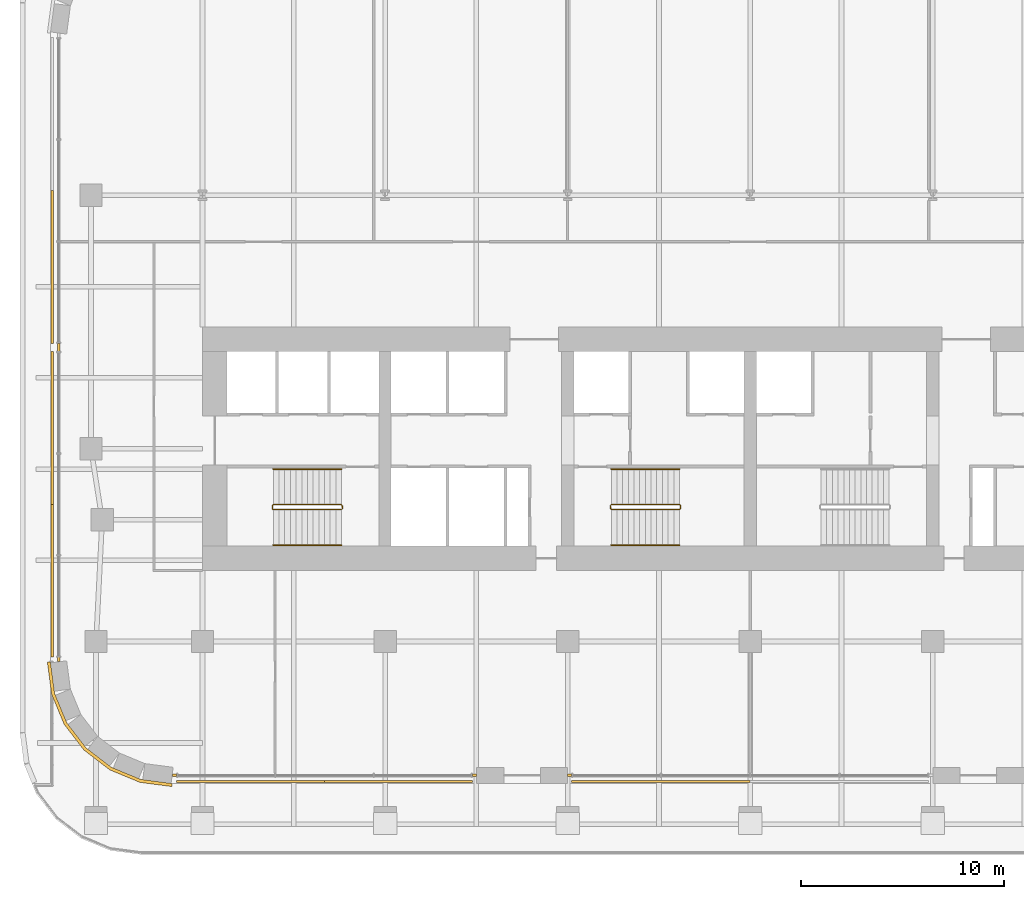
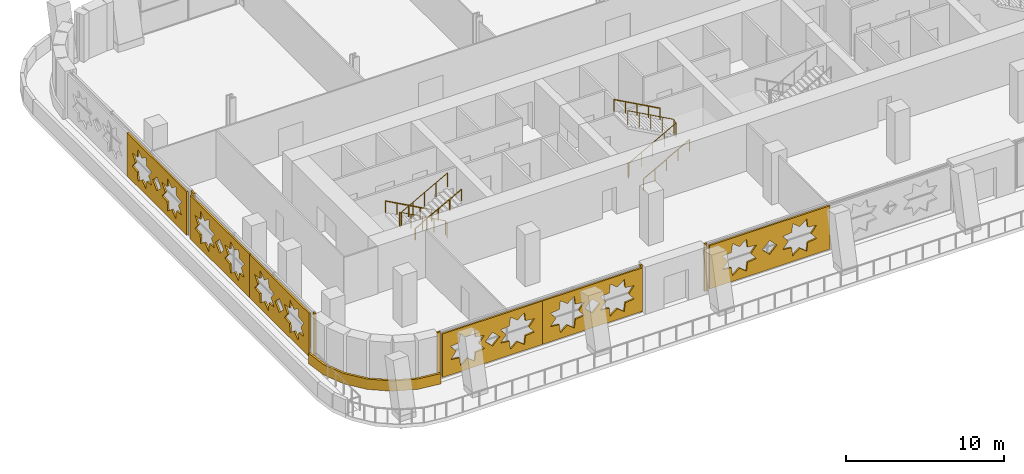
# One storey, part 19 of 26: 12 coverings, 6 railings.
"""IFC4 building model written with IfcOpenShell, lengths in metres."""

from ifc_helpers import new_model, si_unit, direction, frame, origin, origin_2d, place, context, subcontext, project, spatial, polyline, rectangle, circle, outline, extrude, material, layer, layer_set, type_object, element, save


model = new_model("IFC4")

# Units and contexts
model_context = context("Model", 3, precision=1e-05, world=origin(), true_north=direction((0.0, 1.0)))
body_context = subcontext(model_context, "Body", "Model", "MODEL_VIEW")
ifc_project = project(units=[si_unit("LENGTHUNIT", "METRE"), si_unit("AREAUNIT", "SQUARE_METRE"), si_unit("VOLUMEUNIT", "CUBIC_METRE"), si_unit("PLANEANGLEUNIT", "RADIAN"), si_unit("MASSUNIT", "GRAM", prefix="KILO")], contexts=[model_context])

# Site, building, storey
site_placement = place(None, origin())
site = spatial("IfcSite", under=ifc_project, at=site_placement, CompositionType="ELEMENT")
building_placement = place(site_placement, origin())
building = spatial("IfcBuilding", under=site, at=building_placement, Name="Zellij Exchange Tower", CompositionType="ELEMENT")
storey_placement = place(building_placement, frame((0.0, 0.0, 100.5)))
storey = spatial("IfcBuildingStorey", under=building, at=storey_placement, Name="L21", CompositionType="ELEMENT", Elevation=100.5)

# Railings
ifc_material_1 = material(Name="Stainless steel", Category="steel")
railing_type_1 = type_object("IfcRailingType", Name="CORE-RG stair guard", PredefinedType="GUARDRAIL", material=ifc_material_1)
railing_1_placement = place(storey_placement, frame((-20.10009765625, -10.800048828125, 0.0)))
element("IfcRailing", 1, at=railing_1_placement, inside=storey, type_object=railing_type_1, Name="ST1 stair guard L21", PredefinedType="GUARDRAIL", context=body_context, shape_type="SweptSolid", body=[
    extrude(circle(Radius=0.02392578125, at=origin_2d()), frame((0.0, 0.0, 1.076171875), z_axis=(0.0, -1.0, 0.0), x_axis=(1.0, 0.0, 0.0)), (0.0, 0.0, 1.0), 0.14990234375),
    extrude(circle(Radius=0.02392578125, at=origin_2d()), frame((0.0, -0.14990234375, 1.076171875), z_axis=(-0.193691321961, 0.777613689637, 0.598164376644), x_axis=(-0.970351222016, -0.241699205484, 0.0)), (0.0, 0.0, 1.0), 0.257080078125),
    extrude(circle(Radius=0.02392578125, at=origin_2d()), frame((-0.0498046875, 0.050048828125, 1.22998046875), z_axis=(-0.876421534553, 0.0, 0.481544695509), x_axis=(0.0, -1.0, 0.0)), (0.0, 0.0, 1.0), 3.833984375),
    extrude(circle(Radius=0.02392578125, at=origin_2d()), frame((-3.409912109375, 0.050048828125, 3.076171875), z_axis=(-0.707106781187, -0.707106781187, 0.0), x_axis=(0.707106781187, -0.707106781187, 0.0)), (0.0, 0.0, 1.0), 0.07080078125),
    extrude(circle(Radius=0.02392578125, at=origin_2d()), frame((-3.4599609375, 0.0, 3.076171875), z_axis=(0.0, -1.0, 0.0), x_axis=(1.0, 0.0, 0.0)), (0.0, 0.0, 1.0), 0.14990234375),
    extrude(circle(Radius=0.02392578125, at=origin_2d()), frame((-3.4599609375, -0.14990234375, 3.076171875), z_axis=(0.295599637079, -0.295599637079, 0.908428152975), x_axis=(0.707106781187, 0.707106781187, 0.0)), (0.0, 0.0, 1.0), 0.16943359375),
    extrude(circle(Radius=0.02392578125, at=origin_2d()), frame((-3.409912109375, -0.199951171875, 3.22998046875), z_axis=(0.876421534553, 0.0, 0.481544695509), x_axis=(0.0, 1.0, 0.0)), (0.0, 0.0, 1.0), 3.833984375),
    extrude(circle(Radius=0.02099609375, at=origin_2d()), origin(), (0.0, 0.0, 1.0), 1.052001953125),
    extrude(circle(Radius=0.02099609375, at=origin_2d()), frame((0.0, -0.14990234375, 0.0)), (0.0, 0.0, 1.0), 1.052001953125),
    extrude(circle(Radius=0.02099609375, at=origin_2d()), frame((-0.0498046875, 0.050048828125, 0.15380859375)), (0.0, 0.0, 1.0), 1.052001953125),
    extrude(circle(Radius=0.02099609375, at=origin_2d()), frame((-0.889892578125, 0.050048828125, 0.615234375)), (0.0, 0.0, 1.0), 1.052001953125),
    extrude(circle(Radius=0.02099609375, at=origin_2d()), frame((-1.72998046875, 0.050048828125, 1.076904296875)), (0.0, 0.0, 1.0), 1.052001953125),
    extrude(circle(Radius=0.02099609375, at=origin_2d()), frame((-2.56982421875, 0.050048828125, 1.53857421875)), (0.0, 0.0, 1.0), 1.052001953125),
    extrude(circle(Radius=0.02099609375, at=origin_2d()), frame((-3.409912109375, 0.050048828125, 2.0)), (0.0, 0.0, 1.0), 1.052001953125),
    extrude(circle(Radius=0.02099609375, at=origin_2d()), frame((-3.4599609375, 0.0, 2.0)), (0.0, 0.0, 1.0), 1.052001953125),
    extrude(circle(Radius=0.02099609375, at=origin_2d()), frame((-3.4599609375, -0.14990234375, 2.0)), (0.0, 0.0, 1.0), 1.052001953125),
    extrude(circle(Radius=0.02099609375, at=origin_2d()), frame((-3.409912109375, -0.199951171875, 2.15380859375)), (0.0, 0.0, 1.0), 1.052001953125),
    extrude(circle(Radius=0.02099609375, at=origin_2d()), frame((-2.56982421875, -0.199951171875, 2.615234375)), (0.0, 0.0, 1.0), 1.052001953125),
    extrude(circle(Radius=0.02099609375, at=origin_2d()), frame((-1.72998046875, -0.199951171875, 3.076904296875)), (0.0, 0.0, 1.0), 1.052001953125),
    extrude(circle(Radius=0.02099609375, at=origin_2d()), frame((-0.889892578125, -0.199951171875, 3.53857421875)), (0.0, 0.0, 1.0), 1.052001953125),
    extrude(circle(Radius=0.02099609375, at=origin_2d()), frame((-0.0498046875, -0.199951171875, 4.0)), (0.0, 0.0, 1.0), 1.052001953125),
])
railing_2_placement = place(storey_placement, frame((-6.89990234375, -10.949951171875, 0.0)))
element("IfcRailing", 2, at=railing_2_placement, inside=storey, type_object=railing_type_1, Name="ST2 stair guard L21", PredefinedType="GUARDRAIL", context=body_context, shape_type="SweptSolid", body=[
    extrude(circle(Radius=0.02392578125, at=origin_2d()), frame((0.0, 0.0, 1.076171875), z_axis=(0.0, 1.0, 0.0), x_axis=(-1.0, 0.0, 0.0)), (0.0, 0.0, 1.0), 0.14990234375),
    extrude(circle(Radius=0.02392578125, at=origin_2d()), frame((0.0, 0.14990234375, 1.076171875), z_axis=(0.193691321961, -0.777613689637, 0.598164376644), x_axis=(0.970351222016, 0.241699205484, 0.0)), (0.0, 0.0, 1.0), 0.257080078125),
    extrude(circle(Radius=0.02392578125, at=origin_2d()), frame((0.0498046875, -0.050048828125, 1.22998046875), z_axis=(0.876421534553, 0.0, 0.481544695509), x_axis=(0.0, 1.0, 0.0)), (0.0, 0.0, 1.0), 3.833984375),
    extrude(circle(Radius=0.02392578125, at=origin_2d()), frame((3.409912109375, -0.050048828125, 3.076171875), z_axis=(0.707106781187, 0.707106781187, 0.0), x_axis=(-0.707106781187, 0.707106781187, 0.0)), (0.0, 0.0, 1.0), 0.07080078125),
    extrude(circle(Radius=0.02392578125, at=origin_2d()), frame((3.4599609375, 0.0, 3.076171875), z_axis=(0.0, 1.0, 0.0), x_axis=(-1.0, 0.0, 0.0)), (0.0, 0.0, 1.0), 0.14990234375),
    extrude(circle(Radius=0.02392578125, at=origin_2d()), frame((3.4599609375, 0.14990234375, 3.076171875), z_axis=(-0.295599637079, 0.295599637079, 0.908428152975), x_axis=(-0.707106781187, -0.707106781187, 0.0)), (0.0, 0.0, 1.0), 0.16943359375),
    extrude(circle(Radius=0.02392578125, at=origin_2d()), frame((3.409912109375, 0.199951171875, 3.22998046875), z_axis=(-0.876421534553, 0.0, 0.481544695509), x_axis=(0.0, -1.0, 0.0)), (0.0, 0.0, 1.0), 3.833984375),
    extrude(circle(Radius=0.02099609375, at=origin_2d()), origin(), (0.0, 0.0, 1.0), 1.052001953125),
    extrude(circle(Radius=0.02099609375, at=origin_2d()), frame((0.0, 0.14990234375, 0.0)), (0.0, 0.0, 1.0), 1.052001953125),
    extrude(circle(Radius=0.02099609375, at=origin_2d()), frame((0.0498046875, -0.050048828125, 0.15380859375)), (0.0, 0.0, 1.0), 1.052001953125),
    extrude(circle(Radius=0.02099609375, at=origin_2d()), frame((0.889892578125, -0.050048828125, 0.615234375)), (0.0, 0.0, 1.0), 1.052001953125),
    extrude(circle(Radius=0.02099609375, at=origin_2d()), frame((1.72998046875, -0.050048828125, 1.076904296875)), (0.0, 0.0, 1.0), 1.052001953125),
    extrude(circle(Radius=0.02099609375, at=origin_2d()), frame((2.56982421875, -0.050048828125, 1.53857421875)), (0.0, 0.0, 1.0), 1.052001953125),
    extrude(circle(Radius=0.02099609375, at=origin_2d()), frame((3.409912109375, -0.050048828125, 2.0)), (0.0, 0.0, 1.0), 1.052001953125),
    extrude(circle(Radius=0.02099609375, at=origin_2d()), frame((3.4599609375, 0.0, 2.0)), (0.0, 0.0, 1.0), 1.052001953125),
    extrude(circle(Radius=0.02099609375, at=origin_2d()), frame((3.4599609375, 0.14990234375, 2.0)), (0.0, 0.0, 1.0), 1.052001953125),
    extrude(circle(Radius=0.02099609375, at=origin_2d()), frame((3.409912109375, 0.199951171875, 2.15380859375)), (0.0, 0.0, 1.0), 1.052001953125),
    extrude(circle(Radius=0.02099609375, at=origin_2d()), frame((2.56982421875, 0.199951171875, 2.615234375)), (0.0, 0.0, 1.0), 1.052001953125),
    extrude(circle(Radius=0.02099609375, at=origin_2d()), frame((1.72998046875, 0.199951171875, 3.076904296875)), (0.0, 0.0, 1.0), 1.052001953125),
    extrude(circle(Radius=0.02099609375, at=origin_2d()), frame((0.889892578125, 0.199951171875, 3.53857421875)), (0.0, 0.0, 1.0), 1.052001953125),
    extrude(circle(Radius=0.02099609375, at=origin_2d()), frame((0.0498046875, 0.199951171875, 4.0)), (0.0, 0.0, 1.0), 1.052001953125),
])
railing_type_2 = type_object("IfcRailingType", Name="CORE-RH stair handrail", PredefinedType="HANDRAIL", material=ifc_material_1)
railing_3_placement = place(storey_placement, frame((-20.14990234375, -9.0, 0.15380859375)))
element("IfcRailing", 3, at=railing_3_placement, inside=storey, type_object=railing_type_2, Name="ST1 stair handrail L21", PredefinedType="HANDRAIL", context=body_context, shape_type="SweptSolid", body=[
    extrude(circle(Radius=0.02392578125, at=origin_2d()), frame((0.0, 0.0, 0.8759765625), z_axis=(-0.876421534553, 0.0, 0.481544695509), x_axis=(0.0, -1.0, 0.0)), (0.0, 0.0, 1.0), 3.833984375),
    extrude(circle(Radius=0.02099609375, at=origin_2d()), origin(), (0.0, 0.0, 1.0), 0.851806640625),
    extrude(circle(Radius=0.02099609375, at=origin_2d()), frame((-0.840087890625, 0.0, 0.46142578125)), (0.0, 0.0, 1.0), 0.851806640625),
    extrude(circle(Radius=0.02099609375, at=origin_2d()), frame((-1.68017578125, 0.0, 0.923095703125)), (0.0, 0.0, 1.0), 0.851806640625),
    extrude(circle(Radius=0.02099609375, at=origin_2d()), frame((-2.52001953125, 0.0, 1.384765625)), (0.0, 0.0, 1.0), 0.851806640625),
    extrude(circle(Radius=0.02099609375, at=origin_2d()), frame((-3.360107421875, 0.0, 1.84619140625)), (0.0, 0.0, 1.0), 0.851806640625),
])
for number, where, name in (
    (4, (-23.510009765625, -12.75, 2.15380859375), "ST1 stair handrail L21"),
    (5, (-6.85009765625, -12.75, 0.15380859375), "ST2 stair handrail L21"),
):
    element("IfcRailing", number, at=place(storey_placement, frame(where)), inside=storey, type_object=railing_type_2, Name=name, PredefinedType="HANDRAIL", context=body_context, shape_type="SweptSolid", body=[
        extrude(circle(Radius=0.02392578125, at=origin_2d()), frame((0.0, 0.0, 0.8759765625), z_axis=(0.876421534553, 0.0, 0.481544695509), x_axis=(0.0, 1.0, 0.0)), (0.0, 0.0, 1.0), 3.833984375),
        extrude(circle(Radius=0.02099609375, at=origin_2d()), origin(), (0.0, 0.0, 1.0), 0.851806640625),
        extrude(circle(Radius=0.02099609375, at=origin_2d()), frame((0.840087890625, 0.0, 0.46142578125)), (0.0, 0.0, 1.0), 0.851806640625),
        extrude(circle(Radius=0.02099609375, at=origin_2d()), frame((1.68017578125, 0.0, 0.923095703125)), (0.0, 0.0, 1.0), 0.851806640625),
        extrude(circle(Radius=0.02099609375, at=origin_2d()), frame((2.52001953125, 0.0, 1.384765625)), (0.0, 0.0, 1.0), 0.851806640625),
        extrude(circle(Radius=0.02099609375, at=origin_2d()), frame((3.360107421875, 0.0, 1.84619140625)), (0.0, 0.0, 1.0), 0.851806640625),
    ])
railing_4_placement = place(storey_placement, frame((-3.489990234375, -9.0, 2.15380859375)))
element("IfcRailing", 6, at=railing_4_placement, inside=storey, type_object=railing_type_2, Name="ST2 stair handrail L21", PredefinedType="HANDRAIL", context=body_context, shape_type="SweptSolid", body=[
    extrude(circle(Radius=0.02392578125, at=origin_2d()), frame((0.0, 0.0, 0.8759765625), z_axis=(-0.876421534553, 0.0, 0.481544695509), x_axis=(0.0, -1.0, 0.0)), (0.0, 0.0, 1.0), 3.833984375),
    extrude(circle(Radius=0.02099609375, at=origin_2d()), origin(), (0.0, 0.0, 1.0), 0.851806640625),
    extrude(circle(Radius=0.02099609375, at=origin_2d()), frame((-0.840087890625, 0.0, 0.46142578125)), (0.0, 0.0, 1.0), 0.851806640625),
    extrude(circle(Radius=0.02099609375, at=origin_2d()), frame((-1.68017578125, 0.0, 0.923095703125)), (0.0, 0.0, 1.0), 0.851806640625),
    extrude(circle(Radius=0.02099609375, at=origin_2d()), frame((-2.52001953125, 0.0, 1.384765625)), (0.0, 0.0, 1.0), 0.851806640625),
    extrude(circle(Radius=0.02099609375, at=origin_2d()), frame((-3.360107421875, 0.0, 1.84619140625)), (0.0, 0.0, 1.0), 0.851806640625),
])

# Coverings
ifc_material_2 = material(Name="Limestone cladding", Category="masonry")
ifc_layer_1 = layer(ifc_material_2, 0.14990234375)
ifc_layer_set_1 = layer_set([ifc_layer_1], Name="Limestone cladding")
covering_type_1 = type_object("IfcCoveringType", Name="ENV-CV1 Stone spandrel band 150", PredefinedType="CLADDING", material=ifc_layer_set_1)
covering_1_placement = place(storey_placement, origin())
element("IfcCovering", 7, at=covering_1_placement, inside=storey, type_object=covering_type_1, Name="Stone spandrel band", PredefinedType="CLADDING", context=body_context, shape_type="SweptSolid", body=[
    extrude(outline(polyline([(-34.5, -18.5), (-34.295654296875, -20.052978515625), (-33.6962890625, -21.5), (-32.74267578125, -22.74267578125), (-31.5, -23.6962890625), (-30.052978515625, -24.295654296875), (-28.5, -24.5), (-28.509765625, -24.64990234375), (-30.092041015625, -24.441650390625), (-31.57568359375, -23.8271484375), (-32.849609375, -22.849609375), (-33.8271484375, -21.57568359375), (-34.441650390625, -20.092041015625), (-34.64990234375, -18.509765625), (-34.5, -18.5)])), origin(), (0.0, 0.0, 1.0), 0.800048828125),
])
ifc_layer_2 = layer(ifc_material_2, 0.1201171875)
ifc_layer_set_2 = layer_set([ifc_layer_2], Name="Limestone cladding")
covering_type_2 = type_object("IfcCoveringType", Name="ENV-CV18 Glazing closer 120", PredefinedType="CLADDING", material=ifc_layer_set_2)
covering_2_placement = place(storey_placement, frame((-34.10009765625, -3.0, 0.0), z_axis=(0.0, 0.0, 1.0), x_axis=(0.0, -1.0, 0.0)))
element("IfcCovering", 8, at=covering_2_placement, inside=storey, type_object=covering_type_2, Name="Glazing closer", PredefinedType="CLADDING", context=body_context, shape_type="SweptSolid", body=[
    extrude(rectangle(XDim=0.39990234375, YDim=0.1201171875, at=origin_2d()), origin(), (0.0, 0.0, 1.0), 3.64990234375),
])
for number, where, z_axis, x_axis, name in (
    (9, (-28.383056640625, -24.10009765625, 0.0), (0.0, 0.0, 1.0), (-1.0, 0.0, 0.0), "Glazing closer"),
    (10, (-34.10009765625, -18.383056640625, 0.0), (0.0, 0.0, 1.0), (0.0, -1.0, 0.0), "Glazing closer"),
):
    element("IfcCovering", number, at=place(storey_placement, frame(where, z_axis=z_axis, x_axis=x_axis)), inside=storey, type_object=covering_type_2, Name=name, PredefinedType="CLADDING", context=body_context, shape_type="SweptSolid", body=[
        extrude(rectangle(XDim=0.218505859375, YDim=0.1201171875, at=origin_2d()), origin(), (0.0, 0.0, 1.0), 3.64990234375),
    ])
for number, where, z_axis, x_axis, name in (
    (11, (-13.60009765625, -24.10009765625, 0.0), (0.0, 0.0, 1.0), (1.0, 0.0, 0.0), "Glazing closer"),
    (12, (-8.89990234375, -24.10009765625, 0.0), (0.0, 0.0, 1.0), (-1.0, 0.0, 0.0), "Glazing closer"),
):
    element("IfcCovering", number, at=place(storey_placement, frame(where, z_axis=z_axis, x_axis=x_axis)), inside=storey, type_object=covering_type_2, Name=name, PredefinedType="CLADDING", context=body_context, shape_type="SweptSolid", body=[
        extrude(rectangle(XDim=0.199951171875, YDim=0.1201171875, at=origin_2d()), origin(), (0.0, 0.0, 1.0), 3.64990234375),
    ])
ifc_material_3 = material(Name="Limestone screen", Category="masonry")
ifc_layer_3 = layer(ifc_material_3, 0.1201171875)
ifc_layer_set_3 = layer_set([ifc_layer_3], Name="Limestone screen")
covering_type_3 = type_object("IfcCoveringType", Name="ENV-SC1 Pierced stone screen 120", PredefinedType="USERDEFINED", material=ifc_layer_set_3)
covering_3_placement = place(storey_placement, frame((-28.273681640625, -24.39990234375, 0.300048828125), z_axis=(0.0, 0.0, 1.0), x_axis=(1.0, 0.0, 0.0)))
element("IfcCovering", 13, at=covering_3_placement, inside=storey, type_object=covering_type_3, Name="Pierced stone screen", ObjectType="SCREEN", PredefinedType="USERDEFINED", context=body_context, shape_type="SweptSolid", body=[
    extrude(outline(polyline([(0.0, 0.0), (7.286865234375, 0.0), (7.286865234375, 3.35009765625), (0.0, 3.35009765625), (0.0, 0.0)]), holes=[polyline([(3.059814453125, 2.187744140625), (2.4091796875, 2.262451171875), (2.33447265625, 2.9130859375), (1.82177734375, 2.505859375), (1.308837890625, 2.9130859375), (1.234375, 2.262451171875), (0.583740234375, 2.187744140625), (0.990966796875, 1.675048828125), (0.583740234375, 1.162109375), (1.234375, 1.08740234375), (1.308837890625, 0.43701171875), (1.82177734375, 0.84423828125), (2.33447265625, 0.43701171875), (2.4091796875, 1.08740234375), (3.059814453125, 1.162109375), (2.652587890625, 1.675048828125), (3.059814453125, 2.187744140625)]), polyline([(6.703125, 2.187744140625), (6.052490234375, 2.262451171875), (5.97802734375, 2.9130859375), (5.465087890625, 2.505859375), (4.952392578125, 2.9130859375), (4.877685546875, 2.262451171875), (4.227294921875, 2.187744140625), (4.634521484375, 1.675048828125), (4.227294921875, 1.162109375), (4.877685546875, 1.08740234375), (4.952392578125, 0.43701171875), (5.465087890625, 0.84423828125), (5.97802734375, 0.43701171875), (6.052490234375, 1.08740234375), (6.703125, 1.162109375), (6.2958984375, 1.675048828125), (6.703125, 2.187744140625)]), polyline([(4.179443359375, 1.675048828125), (3.643310546875, 2.2109375), (3.107421875, 1.675048828125), (3.643310546875, 1.138916015625), (4.179443359375, 1.675048828125)])]), frame((0.0, 0.06005859375, 0.0), z_axis=(0.0, -1.0, 0.0), x_axis=(1.0, 0.0, 0.0)), (0.0, 0.0, 1.0), 0.1201171875),
])
covering_4_placement = place(storey_placement, frame((-20.98681640625, -24.39990234375, 0.300048828125), z_axis=(0.0, 0.0, 1.0), x_axis=(1.0, 0.0, 0.0)))
element("IfcCovering", 14, at=covering_4_placement, inside=storey, type_object=covering_type_3, Name="Pierced stone screen", ObjectType="SCREEN", PredefinedType="USERDEFINED", context=body_context, shape_type="SweptSolid", body=[
    extrude(outline(polyline([(0.0, 0.0), (7.286865234375, 0.0), (7.286865234375, 3.35009765625), (0.0, 3.35009765625), (0.0, 0.0)]), holes=[polyline([(3.059814453125, 2.187744140625), (2.4091796875, 2.262451171875), (2.33447265625, 2.9130859375), (1.82177734375, 2.505859375), (1.308837890625, 2.9130859375), (1.234375, 2.262451171875), (0.583740234375, 2.187744140625), (0.990966796875, 1.675048828125), (0.583740234375, 1.162109375), (1.234375, 1.08740234375), (1.308837890625, 0.43701171875), (1.82177734375, 0.84423828125), (2.33447265625, 0.43701171875), (2.4091796875, 1.08740234375), (3.059814453125, 1.162109375), (2.652587890625, 1.675048828125), (3.059814453125, 2.187744140625)]), polyline([(6.703125, 2.187744140625), (6.052490234375, 2.262451171875), (5.97802734375, 2.9130859375), (5.465087890625, 2.505859375), (4.952392578125, 2.9130859375), (4.877685546875, 2.262451171875), (4.227294921875, 2.187744140625), (4.634521484375, 1.675048828125), (4.227294921875, 1.162109375), (4.877685546875, 1.08740234375), (4.952392578125, 0.43701171875), (5.465087890625, 0.84423828125), (5.97802734375, 0.43701171875), (6.052490234375, 1.08740234375), (6.703125, 1.162109375), (6.2958984375, 1.675048828125), (6.703125, 2.187744140625)]), polyline([(4.179443359375, 1.675048828125), (3.6435546875, 2.2109375), (3.107421875, 1.675048828125), (3.6435546875, 1.138916015625), (4.179443359375, 1.675048828125)])]), frame((0.0, 0.06005859375, 0.0), z_axis=(0.0, -1.0, 0.0), x_axis=(1.0, 0.0, 0.0)), (0.0, 0.0, 1.0), 0.1201171875),
])
covering_5_placement = place(storey_placement, frame((-8.800048828125, -24.39990234375, 0.300048828125), z_axis=(0.0, 0.0, 1.0), x_axis=(1.0, 0.0, 0.0)))
element("IfcCovering", 15, at=covering_5_placement, inside=storey, type_object=covering_type_3, Name="Pierced stone screen", ObjectType="SCREEN", PredefinedType="USERDEFINED", context=body_context, shape_type="SweptSolid", body=[
    extrude(outline(polyline([(0.0, 0.0), (8.800048828125, 0.0), (8.800048828125, 3.35009765625), (0.0, 3.35009765625), (0.0, 0.0)]), holes=[polyline([(3.43798828125, 2.187744140625), (2.78759765625, 2.262451171875), (2.712890625, 2.9130859375), (2.199951171875, 2.505859375), (1.687255859375, 2.9130859375), (1.612548828125, 2.262451171875), (0.9619140625, 2.187744140625), (1.369140625, 1.675048828125), (0.9619140625, 1.162109375), (1.612548828125, 1.08740234375), (1.687255859375, 0.43701171875), (2.199951171875, 0.84423828125), (2.712890625, 0.43701171875), (2.78759765625, 1.08740234375), (3.43798828125, 1.162109375), (3.03076171875, 1.675048828125), (3.43798828125, 2.187744140625)]), polyline([(7.837890625, 2.187744140625), (7.1875, 2.262451171875), (7.11279296875, 2.9130859375), (6.60009765625, 2.505859375), (6.087158203125, 2.9130859375), (6.012451171875, 2.262451171875), (5.362060546875, 2.187744140625), (5.769287109375, 1.675048828125), (5.362060546875, 1.162109375), (6.012451171875, 1.08740234375), (6.087158203125, 0.43701171875), (6.60009765625, 0.84423828125), (7.11279296875, 0.43701171875), (7.1875, 1.08740234375), (7.837890625, 1.162109375), (7.430908203125, 1.675048828125), (7.837890625, 2.187744140625)]), polyline([(4.93603515625, 1.675048828125), (4.39990234375, 2.2109375), (3.864013671875, 1.675048828125), (4.39990234375, 1.138916015625), (4.93603515625, 1.675048828125)])]), frame((0.0, 0.06005859375, 0.0), z_axis=(0.0, -1.0, 0.0), x_axis=(1.0, 0.0, 0.0)), (0.0, 0.0, 1.0), 0.1201171875),
])
covering_6_placement = place(storey_placement, frame((-34.39990234375, 4.73681640625, 0.300048828125), z_axis=(0.0, 0.0, 1.0), x_axis=(0.0, -1.0, 0.0)))
element("IfcCovering", 16, at=covering_6_placement, inside=storey, type_object=covering_type_3, Name="Pierced stone screen", ObjectType="SCREEN", PredefinedType="USERDEFINED", context=body_context, shape_type="SweptSolid", body=[
    extrude(outline(polyline([(0.0, 0.0), (7.536865234375, 0.0), (7.536865234375, 3.35009765625), (0.0, 3.35009765625), (0.0, 0.0)]), holes=[polyline([(3.122314453125, 2.187744140625), (2.4716796875, 2.262451171875), (2.39697265625, 2.9130859375), (1.88427734375, 2.505859375), (1.371337890625, 2.9130859375), (1.296875, 2.262451171875), (0.646240234375, 2.187744140625), (1.053466796875, 1.675048828125), (0.646240234375, 1.162109375), (1.296875, 1.08740234375), (1.371337890625, 0.43701171875), (1.88427734375, 0.84423828125), (2.39697265625, 0.43701171875), (2.4716796875, 1.08740234375), (3.122314453125, 1.162109375), (2.715087890625, 1.675048828125), (3.122314453125, 2.187744140625)]), polyline([(6.890625, 2.187744140625), (6.239990234375, 2.262451171875), (6.16552734375, 2.9130859375), (5.652587890625, 2.505859375), (5.139892578125, 2.9130859375), (5.065185546875, 2.262451171875), (4.414794921875, 2.187744140625), (4.822021484375, 1.675048828125), (4.414794921875, 1.162109375), (5.065185546875, 1.08740234375), (5.139892578125, 0.43701171875), (5.652587890625, 0.84423828125), (6.16552734375, 0.43701171875), (6.239990234375, 1.08740234375), (6.890625, 1.162109375), (6.4833984375, 1.675048828125), (6.890625, 2.187744140625)]), polyline([(4.304443359375, 1.675048828125), (3.7685546875, 2.2109375), (3.232421875, 1.675048828125), (3.7685546875, 1.138916015625), (4.304443359375, 1.675048828125)])]), frame((0.0, 0.06005859375, 0.0), z_axis=(0.0, -1.0, 0.0), x_axis=(1.0, 0.0, 0.0)), (0.0, 0.0, 1.0), 0.1201171875),
])
for number, where, z_axis, x_axis, name in (
    (17, (-34.39990234375, -3.199951171875, 0.300048828125), (0.0, 0.0, 1.0), (0.0, -1.0, 0.0), "Pierced stone screen"),
    (18, (-34.39990234375, -10.73681640625, 0.300048828125), (0.0, 0.0, 1.0), (0.0, -1.0, 0.0), "Pierced stone screen"),
):
    element("IfcCovering", number, at=place(storey_placement, frame(where, z_axis=z_axis, x_axis=x_axis)), inside=storey, type_object=covering_type_3, Name=name, ObjectType="SCREEN", PredefinedType="USERDEFINED", context=body_context, shape_type="SweptSolid", body=[
        extrude(outline(polyline([(0.0, 0.0), (7.536865234375, 0.0), (7.536865234375, 3.35009765625), (0.0, 3.35009765625), (0.0, 0.0)]), holes=[polyline([(3.122314453125, 2.187744140625), (2.4716796875, 2.262451171875), (2.39697265625, 2.9130859375), (1.88427734375, 2.505859375), (1.371337890625, 2.9130859375), (1.296875, 2.262451171875), (0.646240234375, 2.187744140625), (1.053466796875, 1.675048828125), (0.646240234375, 1.162109375), (1.296875, 1.08740234375), (1.371337890625, 0.43701171875), (1.88427734375, 0.84423828125), (2.39697265625, 0.43701171875), (2.4716796875, 1.08740234375), (3.122314453125, 1.162109375), (2.715087890625, 1.675048828125), (3.122314453125, 2.187744140625)]), polyline([(6.890625, 2.187744140625), (6.239990234375, 2.262451171875), (6.16552734375, 2.9130859375), (5.652587890625, 2.505859375), (5.139892578125, 2.9130859375), (5.065185546875, 2.262451171875), (4.414794921875, 2.187744140625), (4.822021484375, 1.675048828125), (4.414794921875, 1.162109375), (5.065185546875, 1.08740234375), (5.139892578125, 0.43701171875), (5.652587890625, 0.84423828125), (6.16552734375, 0.43701171875), (6.239990234375, 1.08740234375), (6.890625, 1.162109375), (6.4833984375, 1.675048828125), (6.890625, 2.187744140625)]), polyline([(4.304443359375, 1.675048828125), (3.768310546875, 2.2109375), (3.232421875, 1.675048828125), (3.768310546875, 1.138916015625), (4.304443359375, 1.675048828125)])]), frame((0.0, 0.06005859375, 0.0), z_axis=(0.0, -1.0, 0.0), x_axis=(1.0, 0.0, 0.0)), (0.0, 0.0, 1.0), 0.1201171875),
    ])

save(model, "model.ifc")
